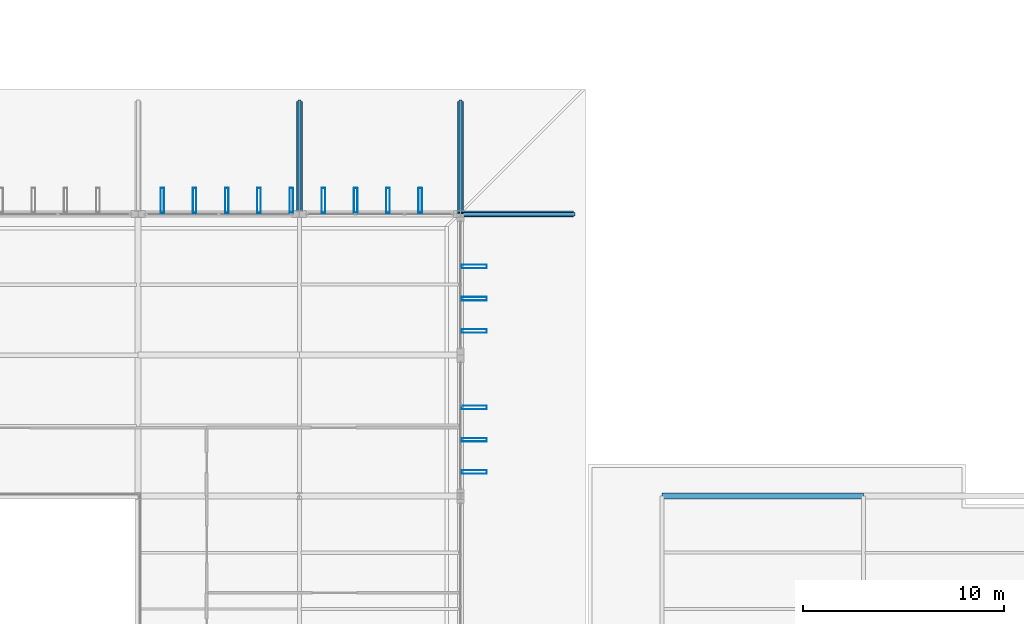
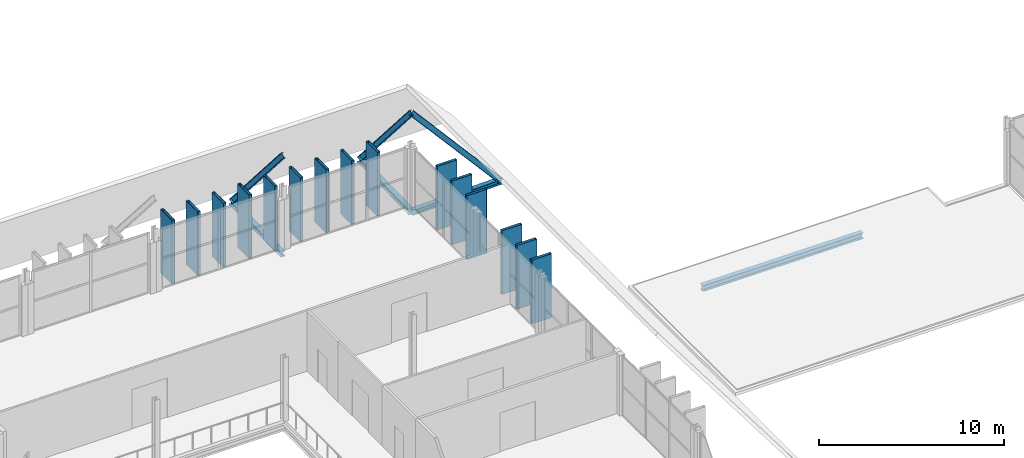
# One storey, part 60 of 93: 18 members, 4 beams.
"""IFC4 building model written with IfcOpenShell, lengths in metres."""

from ifc_helpers import new_model, si_unit, direction, frame, origin, origin_2d, place, context, subcontext, project, spatial, hollow_rectangle, i_section, extrude, material, material_profile, profile_set, type_object, element, save


model = new_model("IFC4")

# Units and contexts
model_context = context("Model", 3, precision=1e-05, world=origin(), true_north=direction((0.0, 1.0)))
body_context = subcontext(model_context, "Body", "Model", "MODEL_VIEW")
ifc_project = project(units=[si_unit("LENGTHUNIT", "METRE"), si_unit("AREAUNIT", "SQUARE_METRE"), si_unit("VOLUMEUNIT", "CUBIC_METRE"), si_unit("PLANEANGLEUNIT", "RADIAN"), si_unit("MASSUNIT", "GRAM", prefix="KILO")], contexts=[model_context])

# Site, building, storey
site_placement = place(None, origin())
site = spatial("IfcSite", under=ifc_project, at=site_placement, CompositionType="ELEMENT")
building_placement = place(site_placement, origin())
building = spatial("IfcBuilding", under=site, at=building_placement, Name="Vekula Escarpment Museum", CompositionType="ELEMENT")
storey_placement = place(building_placement, frame((0.0, 0.0, 22.199951171875)))
storey = spatial("IfcBuildingStorey", under=building, at=storey_placement, Name="L05", CompositionType="ELEMENT", Elevation=22.199951171875)

# Beams
ifc_material_1 = material(Name="Steel S355", Category="steel")
ifc_material_profile_1 = material_profile(ifc_material_1, i_section(OverallWidth=0.300048828125, OverallDepth=0.320068359375, WebThickness=0.011474609375, FlangeThickness=0.0205078125, FilletRadius=0.027099609375, at=origin_2d()), Name="HEB 320")
ifc_profile_set_1 = profile_set([ifc_material_profile_1], Name="Steel S355")
beam_type_1 = type_object("IfcBeamType", Name="BM-EAVE-OUT", PredefinedType="BEAM", material=ifc_profile_set_1)
for number, where, z_axis, x_axis, name in (
    (1, (118.0, 90.39990234375, -0.39990234375), (0.0, 0.999770980386, 0.021400625659), (-1.0, 0.0, 0.0), "Great Hall North Eave Outrigger 118"),
    (2, (126.0, 90.39990234375, -0.39990234375), (0.0, 0.999770980386, 0.021400625659), (-1.0, 0.0, 0.0), "Great Hall North Eave Outrigger 126"),
    (3, (126.0, 90.39990234375, -0.39990234375), (0.999770980386, 0.0, 0.021400625659), (0.0, 1.0, 0.0), "Great Hall East Eave Outrigger 90"),
):
    element("IfcBeam", number, at=place(storey_placement, frame(where, z_axis=z_axis, x_axis=x_axis)), inside=storey, type_object=beam_type_1, Name=name, PredefinedType="BEAM", context=body_context, shape_type="SweptSolid", body=[
        extrude(i_section(OverallWidth=0.300048828125, OverallDepth=0.320068359375, WebThickness=0.011474609375, FlangeThickness=0.0205078125, FilletRadius=0.027099609375, at=origin_2d()), origin(), (0.0, 0.0, 1.0), 5.601318359375),
    ])
ifc_material_2 = material(Name="Steel S355", Category="steel")
ifc_material_profile_2 = material_profile(ifc_material_2, i_section(OverallWidth=0.300048828125, OverallDepth=0.389892578125, WebThickness=0.010986328125, FlangeThickness=0.01904296875, FilletRadius=0.027099609375, at=origin_2d()), Name="HEA 400")
ifc_profile_set_2 = profile_set([ifc_material_profile_2], Name="Steel S355")
beam_type_2 = type_object("IfcBeamType", Name="BM-SPAN-HEA400", PredefinedType="SPANDREL", material=ifc_profile_set_2)
beam_placement = place(storey_placement, frame((136.0, 76.39990234375, -0.39501953125), z_axis=(1.0, 0.0, 0.0), x_axis=(0.0, 1.0, 0.0)))
element("IfcBeam", 4, at=beam_placement, inside=storey, type_object=beam_type_2, Name="Beam X L05 2023", PredefinedType="SPANDREL", context=body_context, shape_type="SweptSolid", body=[
    extrude(i_section(OverallWidth=0.300048828125, OverallDepth=0.389892578125, WebThickness=0.010986328125, FlangeThickness=0.01904296875, FilletRadius=0.027099609375, at=origin_2d()), origin(), (0.0, 0.0, 1.0), 10.0),
])

# Members
ifc_material_3 = material(Name="Steel S355", Category="steel")
ifc_material_profile_3 = material_profile(ifc_material_3, i_section(OverallWidth=0.159912109375, OverallDepth=0.330078125, WebThickness=0.007568359375, FlangeThickness=0.011474609375, FilletRadius=0.01806640625, at=origin_2d()), Name="IPE 330")
ifc_profile_set_3 = profile_set([ifc_material_profile_3], Name="Steel S355")
member_type_1 = type_object("IfcMemberType", Name="MB-SKIRT-RAFTER", PredefinedType="CHORD", material=ifc_profile_set_3)
for number, where, z_axis, x_axis, name in (
    (5, (118.0, 95.949951171875, -0.280029296875), (0.0, -0.654565426105, 0.756005359073), (1.0, 0.0, 0.0), "Truncated-Hip Rafter North 118"),
    (6, (126.0, 95.949951171875, -0.280029296875), (0.0, -0.654565426105, 0.756005359073), (1.0, 0.0, 0.0), "Truncated-Hip Rafter North 126"),
    (7, (131.550048828125, 90.39990234375, -0.280029296875), (-0.654565426105, 0.0, 0.756005359073), (0.0, -1.0, 0.0), "Truncated-Hip Rafter East 90"),
):
    element("IfcMember", number, at=place(storey_placement, frame(where, z_axis=z_axis, x_axis=x_axis)), inside=storey, type_object=member_type_1, Name=name, PredefinedType="CHORD", context=body_context, shape_type="SweptSolid", body=[
        extrude(i_section(OverallWidth=0.159912109375, OverallDepth=0.330078125, WebThickness=0.007568359375, FlangeThickness=0.011474609375, FilletRadius=0.01806640625, at=origin_2d()), origin(), (0.0, 0.0, 1.0), 8.47900390625),
    ])
ifc_material_4 = material(Name="Steel S355 weathered bronze solar fin", Category="steel")
ifc_material_profile_4 = material_profile(ifc_material_4, hollow_rectangle(XDim=0.179931640625, YDim=1.25, WallThickness=0.010009765625, InnerFilletRadius=0.010009765625, OuterFilletRadius=0.02001953125, at=origin_2d()), Name="RHS 1250x180x10")
ifc_profile_set_4 = profile_set([ifc_material_profile_4], Name="Steel S355 weathered bronze solar fin")
member_type_2 = type_object("IfcMemberType", Name="MB-SOLAR-FIN", PredefinedType="USERDEFINED", material=ifc_profile_set_4)
for number, where, z_axis, x_axis, name in (
    (8, (111.199951171875, 91.080078125, 0.0), (0.0, 0.0, 1.0), (1.0, 0.0, 0.0), "Great Hall Vertical Solar Fin 0240"),
    (9, (112.800048828125, 91.080078125, 0.0), (0.0, 0.0, 1.0), (1.0, 0.0, 0.0), "Great Hall Vertical Solar Fin 0245"),
    (10, (114.39990234375, 91.080078125, 0.0), (0.0, 0.0, 1.0), (1.0, 0.0, 0.0), "Great Hall Vertical Solar Fin 0250"),
    (11, (116.0, 91.080078125, 0.0), (0.0, 0.0, 1.0), (1.0, 0.0, 0.0), "Great Hall Vertical Solar Fin 0255"),
    (12, (117.60009765625, 91.080078125, 0.0), (0.0, 0.0, 1.0), (1.0, 0.0, 0.0), "Great Hall Vertical Solar Fin 0260"),
    (13, (119.199951171875, 91.080078125, 0.0), (0.0, 0.0, 1.0), (1.0, 0.0, 0.0), "Great Hall Vertical Solar Fin 0265"),
    (14, (120.800048828125, 91.080078125, 0.0), (0.0, 0.0, 1.0), (1.0, 0.0, 0.0), "Great Hall Vertical Solar Fin 0270"),
    (15, (122.39990234375, 91.080078125, 0.0), (0.0, 0.0, 1.0), (1.0, 0.0, 0.0), "Great Hall Vertical Solar Fin 0275"),
    (16, (124.0, 91.080078125, 0.0), (0.0, 0.0, 1.0), (1.0, 0.0, 0.0), "Great Hall Vertical Solar Fin 0280"),
    (17, (126.679931640625, 77.60009765625, 0.0), (0.0, 0.0, 1.0), (0.0, 1.0, 0.0), "Great Hall Vertical Solar Fin 0390"),
    (18, (126.679931640625, 79.199951171875, 0.0), (0.0, 0.0, 1.0), (0.0, 1.0, 0.0), "Great Hall Vertical Solar Fin 0395"),
    (19, (126.679931640625, 80.800048828125, 0.0), (0.0, 0.0, 1.0), (0.0, 1.0, 0.0), "Great Hall Vertical Solar Fin 0400"),
    (20, (126.679931640625, 84.60009765625, 0.0), (0.0, 0.0, 1.0), (0.0, 1.0, 0.0), "Great Hall Vertical Solar Fin 0405"),
    (21, (126.679931640625, 86.199951171875, 0.0), (0.0, 0.0, 1.0), (0.0, 1.0, 0.0), "Great Hall Vertical Solar Fin 0410"),
    (22, (126.679931640625, 87.800048828125, 0.0), (0.0, 0.0, 1.0), (0.0, 1.0, 0.0), "Great Hall Vertical Solar Fin 0415"),
):
    element("IfcMember", number, at=place(storey_placement, frame(where, z_axis=z_axis, x_axis=x_axis)), inside=storey, type_object=member_type_2, Name=name, ObjectType="SOLAR FIN", PredefinedType="USERDEFINED", context=body_context, shape_type="SweptSolid", body=[
        extrude(hollow_rectangle(XDim=0.179931640625, YDim=1.25, WallThickness=0.010009765625, InnerFilletRadius=0.010009765625, OuterFilletRadius=0.02001953125, at=origin_2d()), origin(), (0.0, 0.0, 1.0), 4.199951171875),
    ])

save(model, "model.ifc")
